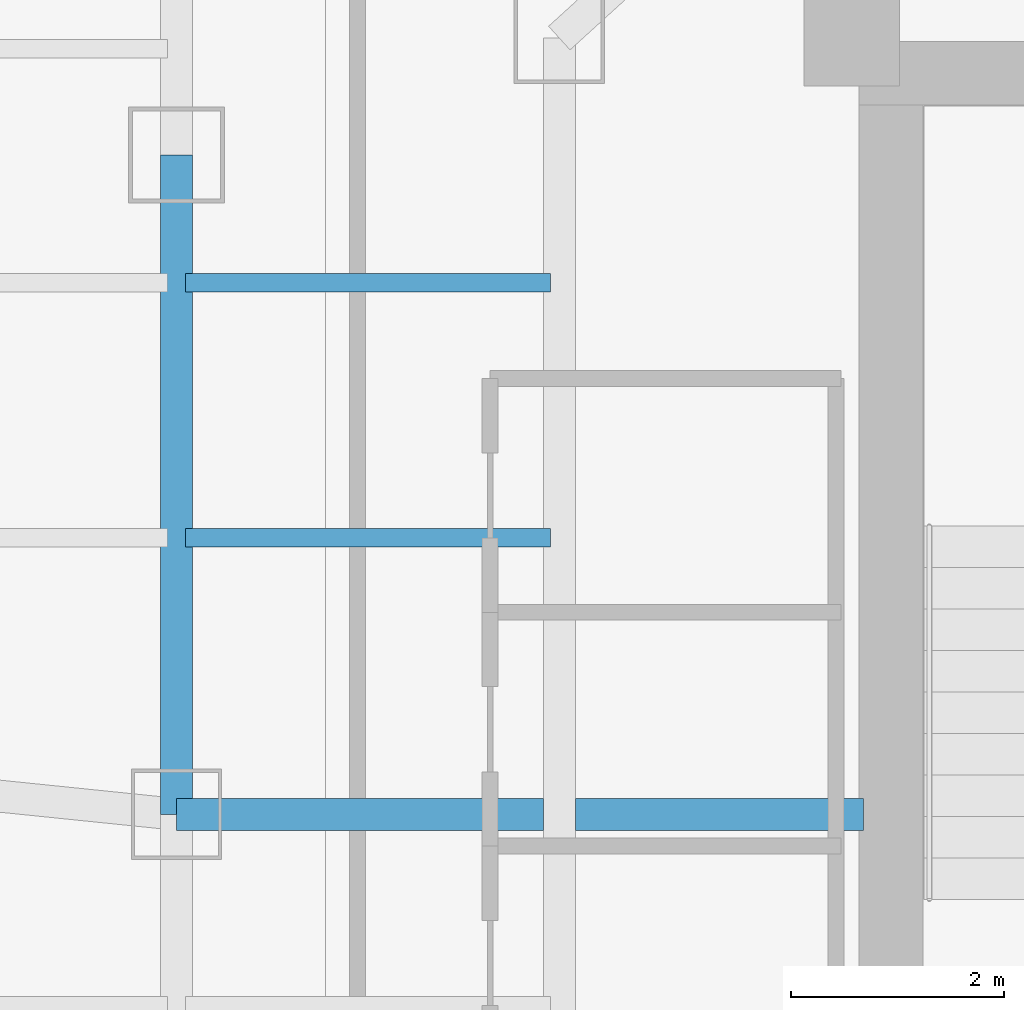
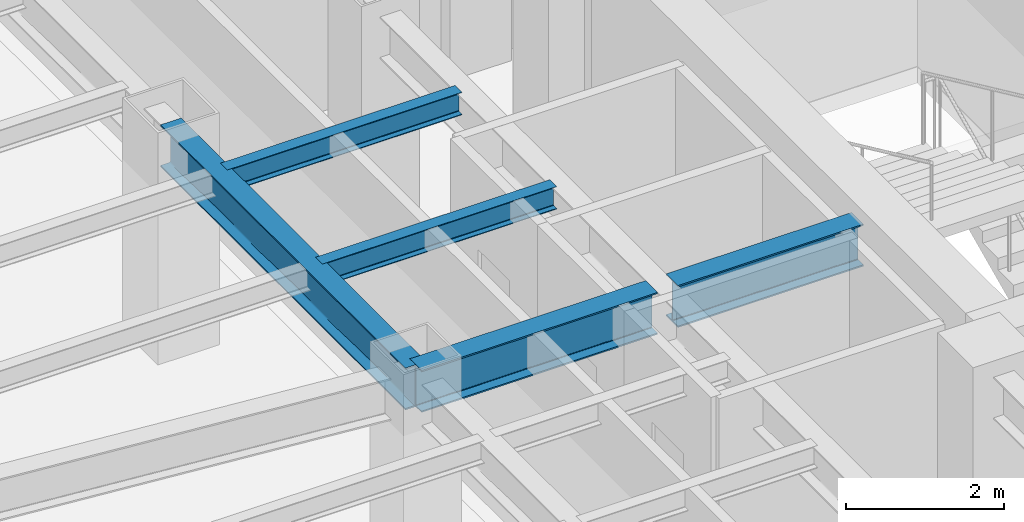
# One storey, part 16 of 29: 5 beams.
"""IFC4 building model written with IfcOpenShell, lengths in metres."""

from ifc_helpers import new_model, si_unit, direction, frame, origin, origin_2d, place, context, subcontext, project, spatial, i_section, extrude, material, material_profile, profile_set, type_object, element, save


model = new_model("IFC4")

# Units and contexts
model_context = context("Model", 3, precision=1e-05, world=origin(), true_north=direction((0.0, 1.0)))
body_context = subcontext(model_context, "Body", "Model", "MODEL_VIEW")
ifc_project = project(units=[si_unit("LENGTHUNIT", "METRE"), si_unit("AREAUNIT", "SQUARE_METRE"), si_unit("VOLUMEUNIT", "CUBIC_METRE"), si_unit("PLANEANGLEUNIT", "RADIAN"), si_unit("MASSUNIT", "GRAM", prefix="KILO")], contexts=[model_context])

# Site, building, storey
site_placement = place(None, origin())
site = spatial("IfcSite", under=ifc_project, at=site_placement, CompositionType="ELEMENT")
building_placement = place(site_placement, origin())
building = spatial("IfcBuilding", under=site, at=building_placement, Name="Hatsunagi Terrace Concourse", CompositionType="ELEMENT")
storey_placement = place(building_placement, frame((0.0, 0.0, 104.85009765625)))
storey = spatial("IfcBuildingStorey", under=building, at=storey_placement, Name="L27", CompositionType="ELEMENT", Elevation=104.85009765625)

# Beams
ifc_material_1 = material(Name="Steel SN490B", Category="steel")
ifc_material_profile_1 = material_profile(ifc_material_1, i_section(OverallWidth=0.175048828125, OverallDepth=0.35009765625, WebThickness=0.007080078125, FlangeThickness=0.010986328125, FilletRadius=0.012939453125, at=origin_2d()), Name="H-350x175x7x11")
ifc_profile_set_1 = profile_set([ifc_material_profile_1], Name="Steel SN490B")
beam_type_1 = type_object("IfcBeamType", Name="HotelJoist_H_350x175", PredefinedType="JOIST", material=ifc_profile_set_1)
for number, where, z_axis, x_axis, name in (
    (1, (19.284912109375, 38.60009765625, 3.1748046875), (1.0, 0.0, 0.0), (0.0, 1.0, 0.0), "Beam J-02 J-L27-W-19-386"),
    (2, (19.284912109375, 41.0, 3.1748046875), (1.0, 0.0, 0.0), (0.0, 1.0, 0.0), "Beam J-02 J-L27-W-19-410"),
):
    element("IfcBeam", number, at=place(storey_placement, frame(where, z_axis=z_axis, x_axis=x_axis)), inside=storey, type_object=beam_type_1, Name=name, PredefinedType="JOIST", context=body_context, shape_type="SweptSolid", body=[
        extrude(i_section(OverallWidth=0.175048828125, OverallDepth=0.35009765625, WebThickness=0.007080078125, FlangeThickness=0.010986328125, FilletRadius=0.012939453125, at=origin_2d()), origin(), (0.0, 0.0, 1.0), 3.43017578125),
    ])
ifc_material_2 = material(Name="Steel SN490B", Category="steel")
ifc_material_profile_2 = material_profile(ifc_material_2, i_section(OverallWidth=0.300048828125, OverallDepth=0.64990234375, WebThickness=0.012939453125, FlangeThickness=0.02197265625, FilletRadius=0.01806640625, at=origin_2d()), Name="H-650x300x13x22")
ifc_profile_set_2 = profile_set([ifc_material_profile_2], Name="Steel SN490B")
beam_type_2 = type_object("IfcBeamType", Name="OfficeLowGirder_H_650x300", PredefinedType="BEAM", material=ifc_profile_set_2)
beam_1_placement = place(storey_placement, frame((19.199951171875, 36.0, 3.02490234375), z_axis=(0.0, 1.0, 0.0), x_axis=(-1.0, 0.0, 0.0)))
element("IfcBeam", 3, at=beam_1_placement, inside=storey, type_object=beam_type_2, Name="Beam G-05 BM-L27-NS-19-36", PredefinedType="BEAM", context=body_context, shape_type="SweptSolid", body=[
    extrude(i_section(OverallWidth=0.300048828125, OverallDepth=0.64990234375, WebThickness=0.012939453125, FlangeThickness=0.02197265625, FilletRadius=0.01806640625, at=origin_2d()), origin(), (0.0, 0.0, 1.0), 6.199951171875),
])
beam_2_placement = place(storey_placement, frame((19.199951171875, 36.0, 3.02490234375), z_axis=(1.0, 0.0, 0.0), x_axis=(0.0, 1.0, 0.0)))
element("IfcBeam", 4, at=beam_2_placement, inside=storey, type_object=beam_type_2, Name="Beam G-05 BM-L27-EW-3", PredefinedType="BEAM", context=body_context, shape_type="SweptSolid", body=[
    extrude(i_section(OverallWidth=0.300048828125, OverallDepth=0.64990234375, WebThickness=0.012939453125, FlangeThickness=0.02197265625, FilletRadius=0.01806640625, at=origin_2d()), origin(), (0.0, 0.0, 1.0), 3.449951171875),
])
beam_3_placement = place(storey_placement, frame((22.949951171875, 36.0, 3.02490234375), z_axis=(1.0, 0.0, 0.0), x_axis=(0.0, 1.0, 0.0)))
element("IfcBeam", 5, at=beam_3_placement, inside=storey, type_object=beam_type_2, Name="Beam G-05 BM-L27-EW-4", PredefinedType="BEAM", context=body_context, shape_type="SweptSolid", body=[
    extrude(i_section(OverallWidth=0.300048828125, OverallDepth=0.64990234375, WebThickness=0.012939453125, FlangeThickness=0.02197265625, FilletRadius=0.01806640625, at=origin_2d()), origin(), (0.0, 0.0, 1.0), 2.7099609375),
])

save(model, "model.ifc")
